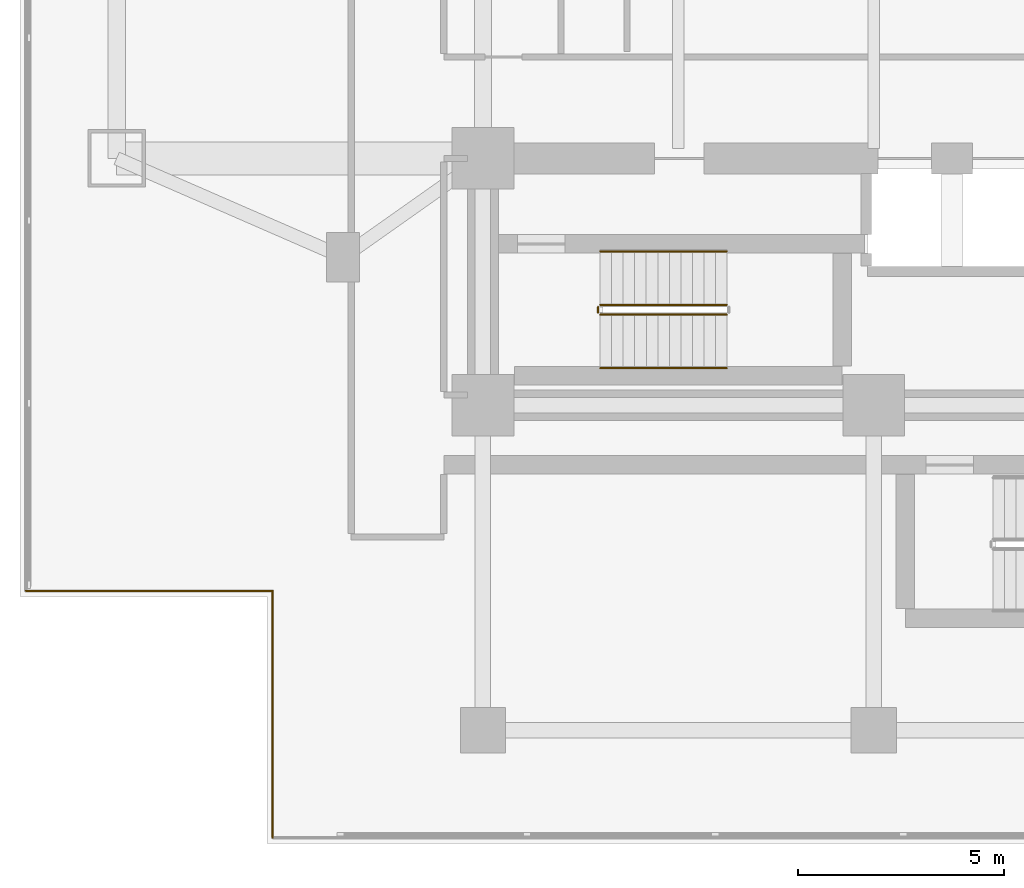
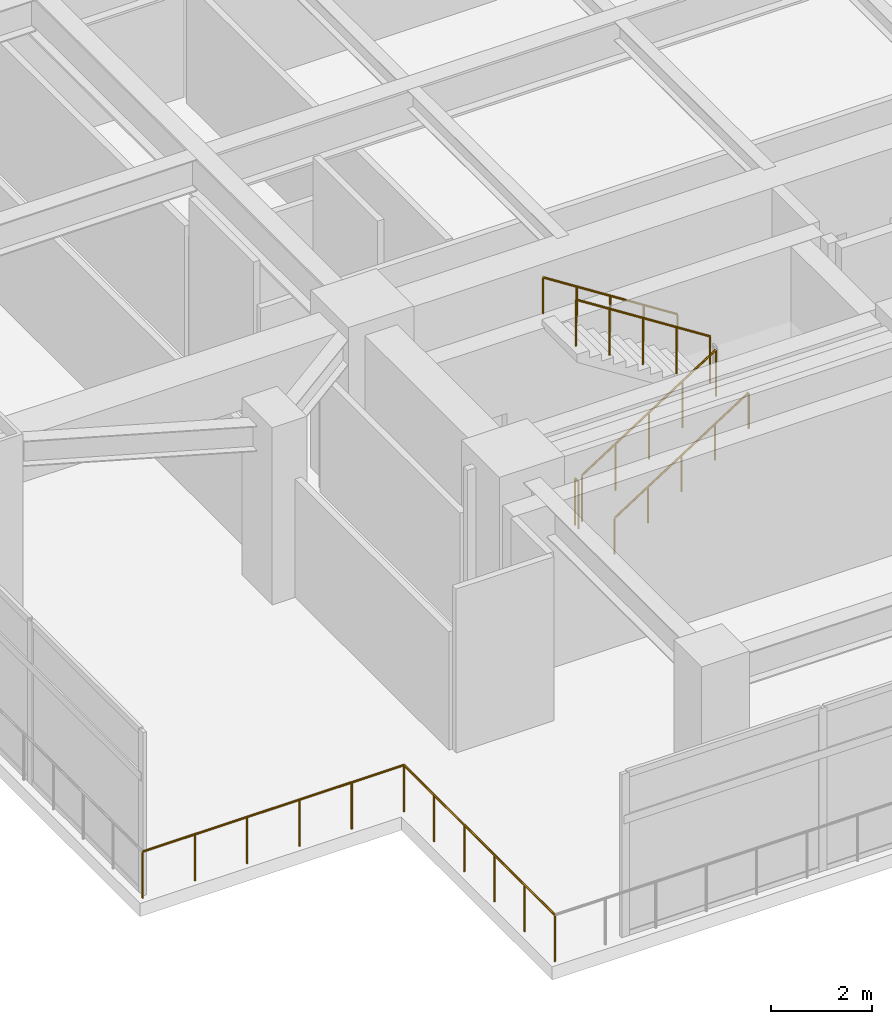
# One storey, part 21 of 31: 7 railings.
"""IFC4 building model written with IfcOpenShell, lengths in metres."""

from ifc_helpers import new_model, si_unit, direction, frame, origin, origin_2d, place, context, subcontext, project, spatial, circle, extrude, material, type_object, element, save


model = new_model("IFC4")

# Units and contexts
model_context = context("Model", 3, precision=1e-05, world=origin(), true_north=direction((0.0, 1.0)))
body_context = subcontext(model_context, "Body", "Model", "MODEL_VIEW")
ifc_project = project(units=[si_unit("LENGTHUNIT", "METRE"), si_unit("AREAUNIT", "SQUARE_METRE"), si_unit("VOLUMEUNIT", "CUBIC_METRE"), si_unit("PLANEANGLEUNIT", "RADIAN"), si_unit("MASSUNIT", "GRAM", prefix="KILO")], contexts=[model_context])

# Site, building, storey
site_placement = place(None, origin())
site = spatial("IfcSite", under=ifc_project, at=site_placement, CompositionType="ELEMENT")
building_placement = place(site_placement, origin())
building = spatial("IfcBuilding", under=site, at=building_placement, Name="Mirazonda Arch Towers", CompositionType="ELEMENT")
storey_placement = place(building_placement, frame((0.0, 0.0, 5.199951171875)))
storey = spatial("IfcBuildingStorey", under=building, at=storey_placement, Name="L01", CompositionType="ELEMENT", Elevation=5.199951171875)

# Railings
ifc_material = material(Name="Architectural Brushed Steel S355", Category="steel")
railing_type_1 = type_object("IfcRailingType", Name="GUARD-EXT-1150", PredefinedType="GUARDRAIL", material=ifc_material)
railing_1_placement = place(storey_placement, frame((-0.110107421875, 7.889892578125, 0.0)))
element("IfcRailing", 1, at=railing_1_placement, inside=storey, type_object=railing_type_1, Name="L01 L01 West Podium Perimeter Guard 11", PredefinedType="GUARDRAIL", context=body_context, shape_type="SweptSolid", body=[
    extrude(circle(Radius=0.02392578125, at=origin_2d()), frame((0.0, 0.0, 1.1259765625), z_axis=(1.0, 0.0, 0.0), x_axis=(0.0, 1.0, 0.0)), (0.0, 0.0, 1.0), 6.0),
    extrude(circle(Radius=0.02099609375, at=origin_2d()), origin(), (0.0, 0.0, 1.0), 1.101806640625),
    extrude(circle(Radius=0.02099609375, at=origin_2d()), frame((1.199951171875, 0.0, 0.0)), (0.0, 0.0, 1.0), 1.101806640625),
    extrude(circle(Radius=0.02099609375, at=origin_2d()), frame((2.39990234375, 0.0, 0.0)), (0.0, 0.0, 1.0), 1.101806640625),
    extrude(circle(Radius=0.02099609375, at=origin_2d()), frame((3.60009765625, 0.0, 0.0)), (0.0, 0.0, 1.0), 1.101806640625),
    extrude(circle(Radius=0.02099609375, at=origin_2d()), frame((4.800048828125, 0.0, 0.0)), (0.0, 0.0, 1.0), 1.101806640625),
    extrude(circle(Radius=0.02099609375, at=origin_2d()), frame((6.0, 0.0, 0.0)), (0.0, 0.0, 1.0), 1.101806640625),
])
railing_2_placement = place(storey_placement, frame((5.889892578125, 7.889892578125, 0.0)))
element("IfcRailing", 2, at=railing_2_placement, inside=storey, type_object=railing_type_1, Name="L01 L01 West Podium Perimeter Guard 12", PredefinedType="GUARDRAIL", context=body_context, shape_type="SweptSolid", body=[
    extrude(circle(Radius=0.02392578125, at=origin_2d()), frame((0.0, 0.0, 1.1259765625), z_axis=(0.0, -1.0, 0.0), x_axis=(1.0, 0.0, 0.0)), (0.0, 0.0, 1.0), 6.0),
    extrude(circle(Radius=0.02099609375, at=origin_2d()), origin(), (0.0, 0.0, 1.0), 1.101806640625),
    extrude(circle(Radius=0.02099609375, at=origin_2d()), frame((0.0, -1.199951171875, 0.0)), (0.0, 0.0, 1.0), 1.101806640625),
    extrude(circle(Radius=0.02099609375, at=origin_2d()), frame((0.0, -2.39990234375, 0.0)), (0.0, 0.0, 1.0), 1.101806640625),
    extrude(circle(Radius=0.02099609375, at=origin_2d()), frame((0.0, -3.60009765625, 0.0)), (0.0, 0.0, 1.0), 1.101806640625),
    extrude(circle(Radius=0.02099609375, at=origin_2d()), frame((0.0, -4.800048828125, 0.0)), (0.0, 0.0, 1.0), 1.101806640625),
    extrude(circle(Radius=0.02099609375, at=origin_2d()), frame((0.0, -6.0, 0.0)), (0.0, 0.0, 1.0), 1.101806640625),
])
railing_type_2 = type_object("IfcRailingType", Name="GUARD-STAIR-1120", PredefinedType="GUARDRAIL", material=ifc_material)
railing_3_placement = place(storey_placement, frame((13.85009765625, 14.60009765625, 0.17919921875)))
element("IfcRailing", 3, at=railing_3_placement, inside=storey, type_object=railing_type_2, Name="L01 ST-T1S stair guard 1", PredefinedType="GUARDRAIL", context=body_context, shape_type="SweptSolid", body=[
    extrude(circle(Radius=0.02392578125, at=origin_2d()), frame((0.0, 0.0, 1.1259765625), z_axis=(0.842289589211, 0.0, 0.539025275759), x_axis=(0.0, 1.0, 0.0)), (0.0, 0.0, 1.0), 3.656494140625),
    extrude(circle(Radius=0.02099609375, at=origin_2d()), origin(), (0.0, 0.0, 1.0), 1.101806640625),
    extrude(circle(Radius=0.02099609375, at=origin_2d()), frame((0.77001953125, 0.0, 0.49267578125)), (0.0, 0.0, 1.0), 1.101806640625),
    extrude(circle(Radius=0.02099609375, at=origin_2d()), frame((1.5400390625, 0.0, 0.9853515625)), (0.0, 0.0, 1.0), 1.101806640625),
    extrude(circle(Radius=0.02099609375, at=origin_2d()), frame((2.309814453125, 0.0, 1.478271484375)), (0.0, 0.0, 1.0), 1.101806640625),
    extrude(circle(Radius=0.02099609375, at=origin_2d()), frame((3.079833984375, 0.0, 1.970947265625)), (0.0, 0.0, 1.0), 1.101806640625),
])
railing_4_placement = place(storey_placement, frame((16.929931640625, 14.840087890625, 2.3291015625)))
element("IfcRailing", 4, at=railing_4_placement, inside=storey, type_object=railing_type_2, Name="L01 ST-T1S stair guard 3", PredefinedType="GUARDRAIL", context=body_context, shape_type="SweptSolid", body=[
    extrude(circle(Radius=0.02392578125, at=origin_2d()), frame((0.0, 0.0, 1.1259765625), z_axis=(-0.842289589211, 0.0, 0.539025275759), x_axis=(0.0, -1.0, 0.0)), (0.0, 0.0, 1.0), 3.656494140625),
    extrude(circle(Radius=0.02099609375, at=origin_2d()), origin(), (0.0, 0.0, 1.0), 1.101806640625),
    extrude(circle(Radius=0.02099609375, at=origin_2d()), frame((-0.77001953125, 0.0, 0.49267578125)), (0.0, 0.0, 1.0), 1.101806640625),
    extrude(circle(Radius=0.02099609375, at=origin_2d()), frame((-1.5400390625, 0.0, 0.9853515625)), (0.0, 0.0, 1.0), 1.101806640625),
    extrude(circle(Radius=0.02099609375, at=origin_2d()), frame((-2.309814453125, 0.0, 1.478271484375)), (0.0, 0.0, 1.0), 1.101806640625),
    extrude(circle(Radius=0.02099609375, at=origin_2d()), frame((-3.079833984375, 0.0, 1.970947265625)), (0.0, 0.0, 1.0), 1.101806640625),
])
railing_5_placement = place(storey_placement, frame((13.800048828125, 14.64990234375, 0.0)))
element("IfcRailing", 5, at=railing_5_placement, inside=storey, type_object=railing_type_2, Name="L01 ST-T1S stair guard 4", PredefinedType="GUARDRAIL", context=body_context, shape_type="SweptSolid", body=[
    extrude(circle(Radius=0.02392578125, at=origin_2d()), frame((0.0, 0.0, 1.1259765625), z_axis=(0.0, 1.0, 0.0), x_axis=(-1.0, 0.0, 0.0)), (0.0, 0.0, 1.0), 0.14013671875),
    extrude(circle(Radius=0.02099609375, at=origin_2d()), origin(), (0.0, 0.0, 1.0), 1.101806640625),
    extrude(circle(Radius=0.02099609375, at=origin_2d()), frame((0.0, 0.14013671875, 0.0)), (0.0, 0.0, 1.0), 1.101806640625),
])
railing_type_3 = type_object("IfcRailingType", Name="HANDRAIL-915", PredefinedType="HANDRAIL", material=ifc_material)
railing_6_placement = place(storey_placement, frame((13.85009765625, 13.300048828125, 0.17919921875)))
element("IfcRailing", 6, at=railing_6_placement, inside=storey, type_object=railing_type_3, Name="L01 ST-T1S stair handrail 1", PredefinedType="HANDRAIL", context=body_context, shape_type="SweptSolid", body=[
    extrude(circle(Radius=0.02392578125, at=origin_2d()), frame((0.0, 0.0, 0.8759765625), z_axis=(0.842289589211, 0.0, 0.539025275759), x_axis=(0.0, 1.0, 0.0)), (0.0, 0.0, 1.0), 3.656494140625),
    extrude(circle(Radius=0.02099609375, at=origin_2d()), origin(), (0.0, 0.0, 1.0), 0.851806640625),
    extrude(circle(Radius=0.02099609375, at=origin_2d()), frame((0.77001953125, 0.0, 0.49267578125)), (0.0, 0.0, 1.0), 0.851806640625),
    extrude(circle(Radius=0.02099609375, at=origin_2d()), frame((1.5400390625, 0.0, 0.9853515625)), (0.0, 0.0, 1.0), 0.851806640625),
    extrude(circle(Radius=0.02099609375, at=origin_2d()), frame((2.309814453125, 0.0, 1.478271484375)), (0.0, 0.0, 1.0), 0.851806640625),
    extrude(circle(Radius=0.02099609375, at=origin_2d()), frame((3.079833984375, 0.0, 1.970947265625)), (0.0, 0.0, 1.0), 0.851806640625),
])
railing_7_placement = place(storey_placement, frame((16.929931640625, 16.139892578125, 2.3291015625)))
element("IfcRailing", 7, at=railing_7_placement, inside=storey, type_object=railing_type_3, Name="L01 ST-T1S stair handrail 2", PredefinedType="HANDRAIL", context=body_context, shape_type="SweptSolid", body=[
    extrude(circle(Radius=0.02392578125, at=origin_2d()), frame((0.0, 0.0, 0.8759765625), z_axis=(-0.842289589211, 0.0, 0.539025275759), x_axis=(0.0, -1.0, 0.0)), (0.0, 0.0, 1.0), 3.656494140625),
    extrude(circle(Radius=0.02099609375, at=origin_2d()), origin(), (0.0, 0.0, 1.0), 0.851806640625),
    extrude(circle(Radius=0.02099609375, at=origin_2d()), frame((-0.77001953125, 0.0, 0.49267578125)), (0.0, 0.0, 1.0), 0.851806640625),
    extrude(circle(Radius=0.02099609375, at=origin_2d()), frame((-1.5400390625, 0.0, 0.9853515625)), (0.0, 0.0, 1.0), 0.851806640625),
    extrude(circle(Radius=0.02099609375, at=origin_2d()), frame((-2.309814453125, 0.0, 1.478271484375)), (0.0, 0.0, 1.0), 0.851806640625),
    extrude(circle(Radius=0.02099609375, at=origin_2d()), frame((-3.079833984375, 0.0, 1.970947265625)), (0.0, 0.0, 1.0), 0.851806640625),
])

save(model, "model.ifc")
